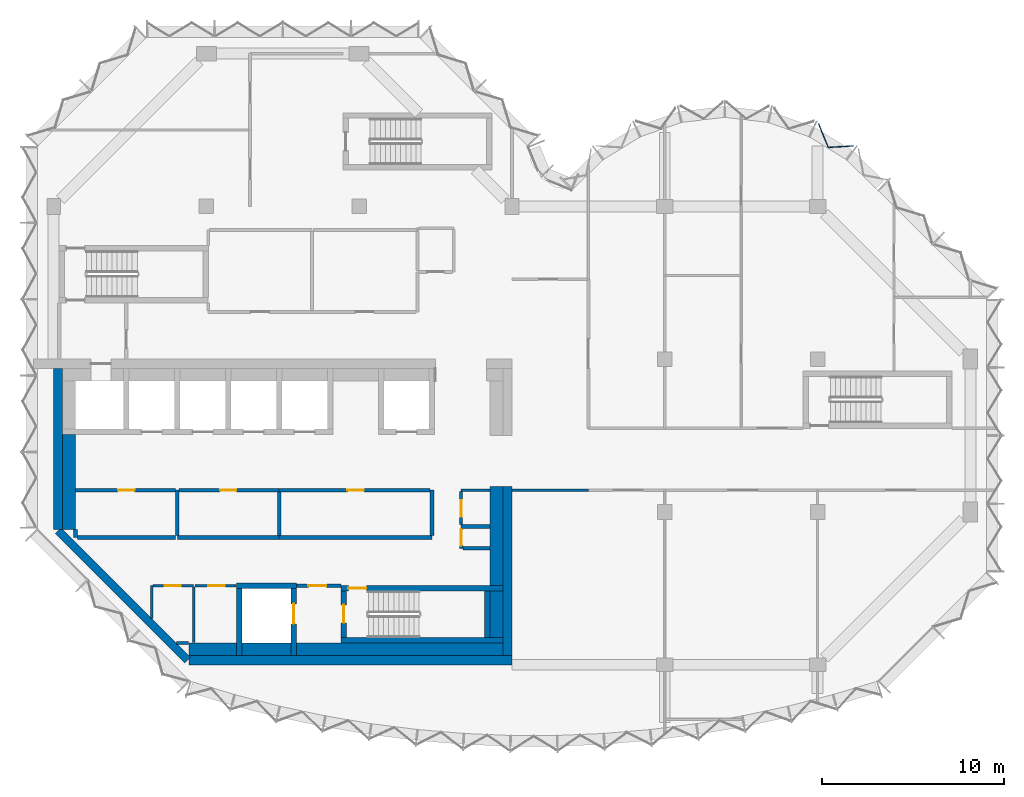
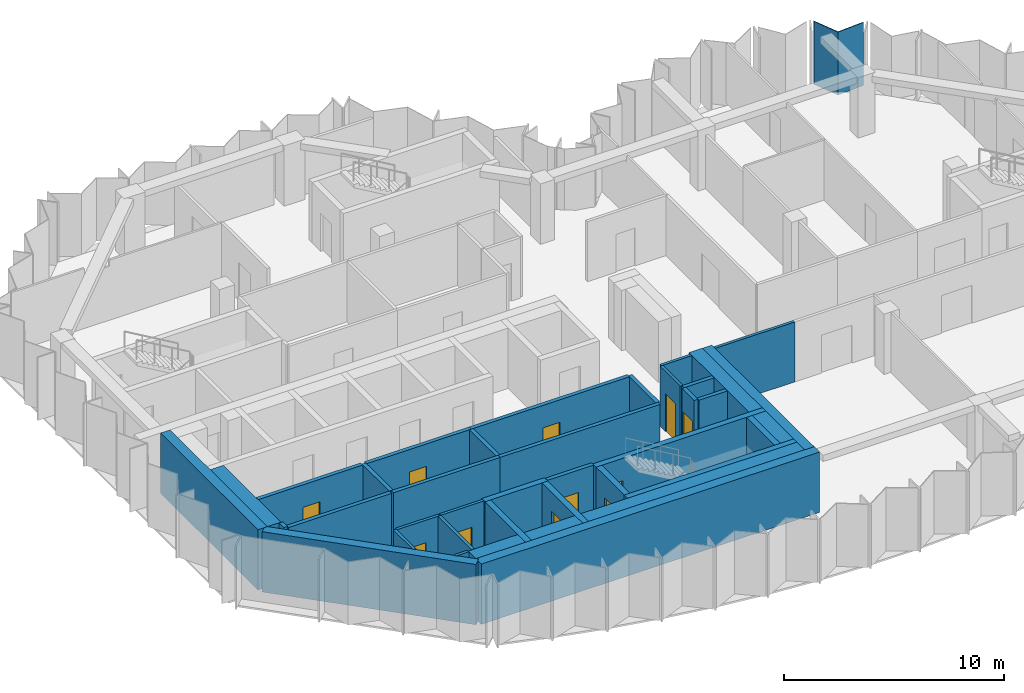
# One storey, part 4 of 10: 39 walls, 11 doors, 1 plate, 11 openings, 1 element without a shape of its own.
"""IFC4 building model written with IfcOpenShell, lengths in metres."""

import ifcopenshell
import ifcopenshell.guid

model = None  # the IFC model being written
_history = None  # IfcOwnerHistory: only IFC2X3 demands one
_inside = {}  # id of a spatial element -> (the spatial element, [elements in it])
_under = {}  # id of a project, library or spatial element -> (it, [spatial elements below it])
_declared = {}  # id of a project -> (the project, [libraries it declares])
_typed = {}  # id of a type object -> (the type object, [elements of that type])
_made_of = {}  # id of a material, layer set ... -> (it, [elements and type objects made of it])


def new_model(schema):
    """Start an empty IFC model of exactly this schema.

    Asked for "IFC4X3", IfcOpenShell would pick the latest addendum, in which some entities
    have other attributes; the version numbers below select the first issue.
    IFC2X3 requires an IfcOwnerHistory on every rooted entity: one is made here for all.
    """
    global model, _history
    if schema == "IFC4X3":
        model = ifcopenshell.file(schema_version=(4, 3, 0, 0))
    else:
        model = ifcopenshell.file(schema=schema)
    _inside.clear()
    _under.clear()
    _declared.clear()
    _typed.clear()
    _made_of.clear()
    _history = None
    if model.schema == "IFC2X3":
        org = make("IfcOrganization", Name="unknown")
        user = make(
            "IfcPersonAndOrganization",
            ThePerson=make("IfcPerson", FamilyName="unknown"),
            TheOrganization=org,
        )
        app = make(
            "IfcApplication",
            ApplicationDeveloper=org,
            Version="unknown",
            ApplicationFullName="unknown",
            ApplicationIdentifier="unknown",
        )
        _history = make(
            "IfcOwnerHistory",
            OwningUser=user,
            OwningApplication=app,
            ChangeAction="ADDED",
            CreationDate=0,
        )
    return model


def make(cls, **values):
    """One entity of the class cls with the attributes given. An attribute that is None is left unset."""
    return model.create_entity(
        cls, **{name: value for name, value in values.items() if value is not None}
    )


def rooted(cls, **values):
    """An entity with a GlobalId (a new one), such as an element, a storey or a relation."""
    return make(cls, GlobalId=ifcopenshell.guid.new(), OwnerHistory=_history, **values)


def si_unit(unit_type, name, prefix=None):
    """IfcSIUnit, for example si_unit("LENGTHUNIT", "METRE", prefix="MILLI")."""
    return make("IfcSIUnit", UnitType=unit_type, Prefix=prefix, Name=name)


def assignment(units):
    """IfcUnitAssignment: the units of a project."""
    return None if units is None else make("IfcUnitAssignment", Units=units)


def point(xyz):
    """IfcCartesianPoint."""
    return None if xyz is None else make("IfcCartesianPoint", Coordinates=xyz)


def direction(xyz):
    """IfcDirection."""
    return None if xyz is None else make("IfcDirection", DirectionRatios=xyz)


def frame(location, z_axis=None, x_axis=None):
    """IfcAxis2Placement3D, a coordinate frame: its origin and axes. An axis left out is left unset."""
    return make(
        "IfcAxis2Placement3D",
        Location=point(location),
        Axis=direction(z_axis),
        RefDirection=direction(x_axis),
    )


def frame_2d(location, x_axis=None):
    """IfcAxis2Placement2D, a coordinate frame in the plane: its origin and x axis."""
    return make(
        "IfcAxis2Placement2D", Location=point(location), RefDirection=direction(x_axis)
    )


def origin():
    """The frame at (0, 0, 0) with its axes left unset."""
    return frame((0.0, 0.0, 0.0))


def place(relative_to, where):
    """IfcLocalPlacement: puts the frame where relative to a parent placement (None: the world)."""
    return make(
        "IfcLocalPlacement", PlacementRelTo=relative_to, RelativePlacement=where
    )


def context(
    kind, dimensions, precision=None, world=None, true_north=None, identifier=None
):
    """IfcGeometricRepresentationContext, for example the 3D "Model" context."""
    return make(
        "IfcGeometricRepresentationContext",
        ContextIdentifier=identifier,
        ContextType=kind,
        CoordinateSpaceDimension=dimensions,
        Precision=precision,
        WorldCoordinateSystem=world,
        TrueNorth=true_north,
    )


def subcontext(parent, identifier, kind, view, scale=None):
    """IfcGeometricRepresentationSubContext, for example "Body" below "Model"."""
    return make(
        "IfcGeometricRepresentationSubContext",
        ContextIdentifier=identifier,
        ContextType=kind,
        ParentContext=parent,
        TargetScale=scale,
        TargetView=view,
    )


def project(units=None, contexts=None):
    """IfcProject with its units and contexts."""
    return rooted(
        "IfcProject",
        Name="project",
        RepresentationContexts=contexts,
        UnitsInContext=assignment(units),
    )


def spatial(cls, under=None, at=None, **own):
    """A site, building, storey or space (cls), placed at a placement, below another one or the project."""
    s = rooted(cls, ObjectPlacement=at, **own)
    if under is not None:
        _under.setdefault(under.id(), (under, []))[1].append(s)
    return s


def polyline(points):
    """IfcPolyline through the points."""
    return make("IfcPolyline", Points=[point(p) for p in points])


def profile(cls, at=None, kind="AREA", **sizes):
    """A parametric profile (cls). Its sizes go by their IFC names, for example OverallWidth=200.0."""
    return make(cls, ProfileType=kind, Position=at, **sizes)


def rectangle(**sizes):
    """IfcRectangleProfileDef."""
    return profile("IfcRectangleProfileDef", **sizes)


def outline(outer, holes=None, kind="AREA"):
    """IfcArbitraryClosedProfileDef: a profile drawn as a closed curve; with holes, ...WithVoids."""
    if holes is None:
        return make("IfcArbitraryClosedProfileDef", ProfileType=kind, OuterCurve=outer)
    return make(
        "IfcArbitraryProfileDefWithVoids",
        ProfileType=kind,
        OuterCurve=outer,
        InnerCurves=holes,
    )


def extrude(swept, where, along, depth):
    """IfcExtrudedAreaSolid: the profile swept, set in the frame where, extruded along a direction by depth."""
    return make(
        "IfcExtrudedAreaSolid",
        SweptArea=swept,
        Position=where,
        ExtrudedDirection=direction(along),
        Depth=depth,
    )


def shape(context_of_items, identifier, shape_type, items):
    """IfcShapeRepresentation: the items that make up one representation, for example the "Body"."""
    return make(
        "IfcShapeRepresentation",
        ContextOfItems=context_of_items,
        RepresentationIdentifier=identifier,
        RepresentationType=shape_type,
        Items=items,
    )


def material(Name=None, Category=None):
    """IfcMaterial."""
    return make("IfcMaterial", Name=Name, Category=Category)


def layer(
    of_material, thickness, ventilated=None, Name=None, Category=None, Priority=None
):
    """IfcMaterialLayer: one layer of a wall or slab, of a material (None: an air gap)."""
    return make(
        "IfcMaterialLayer",
        Material=of_material,
        LayerThickness=thickness,
        IsVentilated=ventilated,
        Name=Name,
        Category=Category,
        Priority=Priority,
    )


def layer_set(layers, Name=None):
    """IfcMaterialLayerSet."""
    return make("IfcMaterialLayerSet", MaterialLayers=layers, LayerSetName=Name)


def made_of(thing, what):
    """Note that an element or type object is made of a material, layer set ...; save() writes the relation."""
    if what is not None:
        _made_of.setdefault(what.id(), (what, []))[1].append(thing)
    return thing


def type_object(cls, material=None, **own):
    """A type object (cls), such as IfcWallType, which elements share."""
    return made_of(rooted(cls, **own), material)


def element(
    cls,
    number,
    at=None,
    inside=None,
    cuts=None,
    type_object=None,
    material=None,
    context=None,
    identifier="Body",
    shape_type=None,
    held_by="IfcProductDefinitionShape",
    body=None,
    shapes=None,
    **own,
):
    """One element of the class cls, such as IfcWall. Its Tag is "e" and its number.

    at: its placement. inside: the storey or other place that contains it. cuts: it is an
    opening in that element (IfcRelVoidsElement). A single representation is given by context,
    identifier, shape_type and body (its items); several are given by shapes. held_by: the class
    of the entity that holds the representations. save() writes the other relations.
    """
    e = rooted(cls, Tag="e%d" % number, ObjectPlacement=at, **own)
    if body is not None:
        shapes = [shape(context, identifier, shape_type, body)]
    if shapes is not None:
        e.Representation = make(held_by, Representations=shapes)
    if inside is not None:
        _inside.setdefault(inside.id(), (inside, []))[1].append(e)
    if cuts is not None:
        rooted(
            "IfcRelVoidsElement", RelatingBuildingElement=cuts, RelatedOpeningElement=e
        )
    if type_object is not None:
        _typed.setdefault(type_object.id(), (type_object, []))[1].append(e)
    return made_of(e, material)


def fill(opening, filler):
    """IfcRelFillsElement: the door or window that sits in an opening."""
    return rooted(
        "IfcRelFillsElement",
        RelatingOpeningElement=opening,
        RelatedBuildingElement=filler,
    )


def aggregate(whole, parts):
    """IfcRelAggregates: a whole, such as a stair, and the parts it consists of."""
    return rooted("IfcRelAggregates", RelatingObject=whole, RelatedObjects=parts)


def save(model, path):
    """Write the relations noted so far, then the file.

    IfcRelAggregates (storeys below a building ...), IfcRelContainedInSpatialStructure (elements
    in a storey), IfcRelDefinesByType, IfcRelAssociatesMaterial and IfcRelDeclares: one each for
    every whole, place, type object, material and project.
    """
    for whole, parts in _under.values():
        aggregate(whole, parts)
    for where, things in _inside.values():
        rooted(
            "IfcRelContainedInSpatialStructure",
            RelatedElements=things,
            RelatingStructure=where,
        )
    for kind, things in _typed.values():
        rooted("IfcRelDefinesByType", RelatedObjects=things, RelatingType=kind)
    for what, things in _made_of.values():
        rooted("IfcRelAssociatesMaterial", RelatedObjects=things, RelatingMaterial=what)
    for by, libraries in _declared.values():
        rooted("IfcRelDeclares", RelatingContext=by, RelatedDefinitions=libraries)
    model.write(path)


model = new_model("IFC4")

# Units and contexts
model_context = context("Model", 3, precision=1e-05, world=origin(), true_north=direction((0.0, 1.0)))
body_context = subcontext(model_context, "Body", "Model", "MODEL_VIEW")
ifc_project = project(units=[si_unit("LENGTHUNIT", "METRE"), si_unit("AREAUNIT", "SQUARE_METRE"), si_unit("VOLUMEUNIT", "CUBIC_METRE"), si_unit("PLANEANGLEUNIT", "RADIAN"), si_unit("MASSUNIT", "GRAM", prefix="KILO")], contexts=[model_context])

# Site, building, storey
site_placement = place(None, origin())
site = spatial("IfcSite", under=ifc_project, at=site_placement, CompositionType="ELEMENT")
building_placement = place(site_placement, origin())
building = spatial("IfcBuilding", under=site, at=building_placement, Name="Brevane Broadcast Tower", CompositionType="ELEMENT")
storey_placement = place(building_placement, frame((0.0, 0.0, 230.10009765625)))
storey = spatial("IfcBuildingStorey", under=building, at=storey_placement, Name="L58", CompositionType="ELEMENT", Elevation=230.10009765625)

# Curtain wall, plate
ifc_material_1 = material(Name="Aluminium 6063-T6 bronze anodised", Category="aluminium")
curtain_wall_type = type_object("IfcCurtainWallType", Name="CW-1 curtain wall", PredefinedType="NOTDEFINED", material=ifc_material_1)
curtain_wall_placement = place(storey_placement, origin())
curtain_wall = element("IfcCurtainWall", 1, at=curtain_wall_placement, inside=storey, type_object=curtain_wall_type, Name="CW-1 typical tilted unit L58 east bow", PredefinedType="NOTDEFINED")
ifc_material_2 = material(Name="Laminated glass bronze-tinted", Category="glass")
ifc_layer_1 = layer(ifc_material_2, 0.0400390625)
ifc_layer_set_1 = layer_set([ifc_layer_1], Name="CW tall glass panel 40")
plate_type = type_object("IfcPlateType", Name="CW tall glass panel 40", PredefinedType="CURTAIN_PANEL", material=ifc_layer_set_1)
plate_placement = place(storey_placement, frame((0.0, 0.0, -0.150146484375)))
plate = element("IfcPlate", 2, at=plate_placement, type_object=plate_type, Name="CW-1 glass panel", PredefinedType="CURTAIN_PANEL", context=body_context, shape_type="SweptSolid", body=[
    extrude(outline(polyline([(43.950439453125, 28.5087890625), (43.9833984375, 28.551025390625), (42.601318359375, 28.462890625), (42.0703125, 29.76171875), (42.046875, 29.712890625), (42.5751953125, 28.42138671875), (43.950439453125, 28.5087890625)])), origin(), (0.0, 0.0, 1.0), 3.5),
])
aggregate(curtain_wall, [plate])

# Walls
ifc_material_3 = material(Name="Concrete C32/40", Category="concrete")
ifc_layer_2 = layer(ifc_material_3, 0.699951171875)
ifc_layer_set_2 = layer_set([ifc_layer_2], Name="Core chase wall 700 mm")
wall_type_1 = type_object("IfcWallType", Name="Core chase wall 700 mm", PredefinedType="PARTITIONING", material=ifc_layer_set_2)
wall_1_placement = place(storey_placement, frame((0.85009765625, 7.436279296875, 0.0), z_axis=(0.0, 0.0, 1.0), x_axis=(0.0, 1.0, 0.0)))
element("IfcWall", 3, at=wall_1_placement, inside=storey, type_object=wall_type_1, Name="L58 chase wall LW-1", PredefinedType="PARTITIONING", context=body_context, shape_type="SweptSolid", body=[
    extrude(rectangle(XDim=5.213623046875, YDim=0.699951171875, at=frame_2d((2.60693359375, 0.0))), origin(), (0.0, 0.0, 1.0), 3.349853515625),
])
wall_2_placement = place(storey_placement, frame((7.436279296875, 0.85009765625, 0.0), z_axis=(0.0, 0.0, 1.0), x_axis=(1.0, 0.0, 0.0)))
element("IfcWall", 4, at=wall_2_placement, inside=storey, type_object=wall_type_1, Name="L58 chase wall LS-1", PredefinedType="PARTITIONING", context=body_context, shape_type="SweptSolid", body=[
    extrude(rectangle(XDim=2.61376953125, YDim=0.699951171875, at=frame_2d((1.306884765625, 0.0))), origin(), (0.0, 0.0, 1.0), 3.349853515625),
])
wall_3_placement = place(storey_placement, frame((10.35009765625, 0.85009765625, 0.0), z_axis=(0.0, 0.0, 1.0), x_axis=(1.0, 0.0, 0.0)))
element("IfcWall", 5, at=wall_3_placement, inside=storey, type_object=wall_type_1, Name="L58 chase wall LS-2-1", PredefinedType="PARTITIONING", context=body_context, shape_type="SweptSolid", body=[
    extrude(rectangle(XDim=2.699951171875, YDim=0.699951171875, at=frame_2d((1.35009765625, 0.0))), origin(), (0.0, 0.0, 1.0), 3.349853515625),
])
wall_4_placement = place(storey_placement, frame((13.35009765625, 0.85009765625, 0.0), z_axis=(0.0, 0.0, 1.0), x_axis=(1.0, 0.0, 0.0)))
element("IfcWall", 6, at=wall_4_placement, inside=storey, type_object=wall_type_1, Name="L58 chase wall LS-2-2", PredefinedType="PARTITIONING", context=body_context, shape_type="SweptSolid", body=[
    extrude(rectangle(XDim=11.349853515625, YDim=0.699951171875, at=frame_2d((5.6748046875, 0.0))), origin(), (0.0, 0.0, 1.0), 3.349853515625),
])
wall_5_placement = place(storey_placement, frame((24.35009765625, 1.5, 0.0), z_axis=(0.0, 0.0, 1.0), x_axis=(0.0, 1.0, 0.0)))
element("IfcWall", 7, at=wall_5_placement, inside=storey, type_object=wall_type_1, Name="L58 chase wall LE1-2-1", PredefinedType="PARTITIONING", context=body_context, shape_type="SweptSolid", body=[
    extrude(rectangle(XDim=2.550048828125, YDim=0.699951171875, at=frame_2d((1.27490234375, 0.0))), origin(), (0.0, 0.0, 1.0), 3.349853515625),
])
wall_6_placement = place(storey_placement, frame((24.35009765625, 4.35009765625, 0.0), z_axis=(0.0, 0.0, 1.0), x_axis=(0.0, 1.0, 0.0)))
element("IfcWall", 8, at=wall_6_placement, inside=storey, type_object=wall_type_1, Name="L58 chase wall LE1-2-2", PredefinedType="PARTITIONING", context=body_context, shape_type="SweptSolid", body=[
    extrude(rectangle(XDim=5.449951171875, YDim=0.699951171875, at=frame_2d((2.72509765625, 0.0))), origin(), (0.0, 0.0, 1.0), 3.349853515625),
])
ifc_material_4 = material(Name="Gypsum board on steel studs", Category="steel")
ifc_layer_3 = layer(ifc_material_4, 0.14990234375)
ifc_layer_set_3 = layer_set([ifc_layer_3], Name="Core fire partition 150 mm")
wall_type_2 = type_object("IfcWallType", Name="Core fire partition 150 mm", PredefinedType="PARTITIONING", material=ifc_layer_set_3)
wall_7_placement = place(storey_placement, frame((5.39990234375, 2.553466796875, 0.0), z_axis=(0.0, 0.0, 1.0), x_axis=(0.0, 1.0, 0.0)))
element("IfcWall", 9, at=wall_7_placement, inside=storey, type_object=wall_type_2, Name="L58 partition wall P17", PredefinedType="PARTITIONING", context=body_context, shape_type="SweptSolid", body=[
    extrude(rectangle(XDim=1.796630859375, YDim=0.14990234375, at=frame_2d((0.8984375, 0.0))), origin(), (0.0, 0.0, 1.0), 3.349853515625),
])

# Wall, opening, door
wall_8_placement = place(storey_placement, frame((5.47509765625, 4.35009765625, 0.0), z_axis=(0.0, 0.0, 1.0), x_axis=(1.0, 0.0, 0.0)))
wall_8 = element("IfcWall", 10, at=wall_8_placement, inside=storey, type_object=wall_type_2, Name="L58 partition wall P18", PredefinedType="PARTITIONING", context=body_context, shape_type="SweptSolid", body=[
    extrude(rectangle(XDim=2.224853515625, YDim=0.14990234375, at=frame_2d((1.1123046875, 0.0))), origin(), (0.0, 0.0, 1.0), 3.349853515625),
])
opening_1_placement = place(wall_8_placement, frame((0.625, 0.0, 0.0)))
opening_1 = element("IfcOpeningElement", 11, at=opening_1_placement, cuts=wall_8, Name="Opening L58-K14", PredefinedType="OPENING", context=body_context, shape_type="SweptSolid", body=[
    extrude(rectangle(XDim=0.89990234375, YDim=2.10009765625, at=frame_2d((0.449951171875, 1.050048828125))), frame((0.0, 0.0849609375, 0.0), z_axis=(0.0, -1.0, 0.0), x_axis=(1.0, 0.0, 0.0)), (0.0, 0.0, 1.0), 0.169921875),
])
ifc_material_5 = material(Name="Timber", Category="wood")
door_type_1 = type_object("IfcDoorType", Name="Toilet door 900 x 2100", OperationType="SINGLE_SWING_LEFT", PredefinedType="DOOR", material=ifc_material_5)
door_1_placement = place(opening_1_placement, origin())
door_1 = element("IfcDoor", 12, at=door_1_placement, inside=storey, type_object=door_type_1, Name="Door L58-K14", OperationType="SINGLE_SWING_LEFT", OverallHeight=2.10009765625, OverallWidth=0.89990234375, PredefinedType="DOOR", context=body_context, shape_type="SweptSolid", body=[
    extrude(rectangle(XDim=0.89990234375, YDim=2.10009765625, at=frame_2d((0.449951171875, 1.050048828125))), frame((0.0, 0.02490234375, 0.0), z_axis=(0.0, -1.0, 0.0), x_axis=(1.0, 0.0, 0.0)), (0.0, 0.0, 1.0), 0.050048828125),
])
fill(opening_1, door_1)

# Walls
wall_9_placement = place(storey_placement, frame((7.699951171875, 4.27490234375, 0.0), z_axis=(0.0, 0.0, 1.0), x_axis=(0.0, -1.0, 0.0)))
element("IfcWall", 13, at=wall_9_placement, inside=storey, type_object=wall_type_2, Name="L58 partition wall P19", PredefinedType="PARTITIONING", context=body_context, shape_type="SweptSolid", body=[
    extrude(rectangle(XDim=3.06298828125, YDim=0.14990234375, at=frame_2d((1.531494140625, 0.0))), origin(), (0.0, 0.0, 1.0), 3.349853515625),
])
wall_10_placement = place(storey_placement, frame((7.42431640625, 1.199951171875, 0.0), z_axis=(0.0, 0.0, 1.0), x_axis=(-1.0, 0.0, 0.0)))
element("IfcWall", 14, at=wall_10_placement, inside=storey, type_object=wall_type_2, Name="L58 partition wall P20", PredefinedType="PARTITIONING", context=body_context, shape_type="SweptSolid", body=[
    extrude(rectangle(XDim=0.6708984375, YDim=0.14990234375, at=frame_2d((0.33544921875, 0.0))), origin(), (0.0, 0.0, 1.0), 3.349853515625),
])

# Wall, opening, door
wall_11_placement = place(storey_placement, frame((10.0380859375, 4.35009765625, 0.0), z_axis=(0.0, 0.0, 1.0), x_axis=(-1.0, 0.0, 0.0)))
wall_11 = element("IfcWall", 15, at=wall_11_placement, inside=storey, type_object=wall_type_2, Name="L58 partition wall P21", PredefinedType="PARTITIONING", context=body_context, shape_type="SweptSolid", body=[
    extrude(rectangle(XDim=2.26318359375, YDim=0.14990234375, at=frame_2d((1.131591796875, 0.0))), origin(), (0.0, 0.0, 1.0), 3.349853515625),
])
opening_2_placement = place(wall_11_placement, frame((0.637939453125, 0.0, 0.0)))
opening_2 = element("IfcOpeningElement", 16, at=opening_2_placement, cuts=wall_11, Name="Opening L58-K15", PredefinedType="OPENING", context=body_context, shape_type="SweptSolid", body=[
    extrude(rectangle(XDim=0.89990234375, YDim=2.10009765625, at=frame_2d((0.449951171875, 1.050048828125))), frame((0.0, 0.0849609375, 0.0), z_axis=(0.0, -1.0, 0.0), x_axis=(1.0, 0.0, 0.0)), (0.0, 0.0, 1.0), 0.169921875),
])
door_2_placement = place(opening_2_placement, origin())
door_2 = element("IfcDoor", 17, at=door_2_placement, inside=storey, type_object=door_type_1, Name="Door L58-K15", OperationType="SINGLE_SWING_RIGHT", OverallHeight=2.10009765625, OverallWidth=0.89990234375, PredefinedType="DOOR", context=body_context, shape_type="SweptSolid", body=[
    extrude(rectangle(XDim=0.89990234375, YDim=2.10009765625, at=frame_2d((0.449951171875, 1.050048828125))), frame((0.0, 0.02490234375, 0.0), z_axis=(0.0, -1.0, 0.0), x_axis=(1.0, 0.0, 0.0)), (0.0, 0.0, 1.0), 0.050048828125),
])
fill(opening_2, door_2)

# Wall
wall_12_placement = place(storey_placement, frame((23.988037109375, 9.60009765625, 0.0), z_axis=(0.0, 0.0, 1.0), x_axis=(-1.0, 0.0, 0.0)))
element("IfcWall", 18, at=wall_12_placement, inside=storey, type_object=wall_type_2, Name="L58 partition wall P35", PredefinedType="PARTITIONING", context=body_context, shape_type="SweptSolid", body=[
    extrude(rectangle(XDim=1.588134765625, YDim=0.14990234375, at=frame_2d((0.7939453125, 0.0))), origin(), (0.0, 0.0, 1.0), 3.349853515625),
])

# Wall, opening, door
wall_13_placement = place(storey_placement, frame((22.39990234375, 9.52490234375, 0.0), z_axis=(0.0, 0.0, 1.0), x_axis=(0.0, -1.0, 0.0)))
wall_13 = element("IfcWall", 19, at=wall_13_placement, inside=storey, type_object=wall_type_2, Name="L58 partition wall P36", PredefinedType="PARTITIONING", context=body_context, shape_type="SweptSolid", body=[
    extrude(rectangle(XDim=1.824951171875, YDim=0.14990234375, at=frame_2d((0.91259765625, 0.0))), origin(), (0.0, 0.0, 1.0), 3.349853515625),
])
opening_3_placement = place(wall_13_placement, frame((0.47509765625, 0.0, 0.0)))
opening_3 = element("IfcOpeningElement", 20, at=opening_3_placement, cuts=wall_13, Name="Opening L58-K18", PredefinedType="OPENING", context=body_context, shape_type="SweptSolid", body=[
    extrude(rectangle(XDim=0.89990234375, YDim=2.10009765625, at=frame_2d((0.449951171875, 1.050048828125))), frame((0.0, 0.0849609375, 0.0), z_axis=(0.0, -1.0, 0.0), x_axis=(1.0, 0.0, 0.0)), (0.0, 0.0, 1.0), 0.169921875),
])
ifc_material_6 = material(Name="Steel", Category="steel")
door_type_2 = type_object("IfcDoorType", Name="Service room door 900 x 2100", OperationType="SINGLE_SWING_LEFT", PredefinedType="DOOR", material=ifc_material_6)
door_3_placement = place(opening_3_placement, origin())
door_3 = element("IfcDoor", 21, at=door_3_placement, inside=storey, type_object=door_type_2, Name="Door L58-K18", OperationType="SINGLE_SWING_LEFT", OverallHeight=2.10009765625, OverallWidth=0.89990234375, PredefinedType="DOOR", context=body_context, shape_type="SweptSolid", body=[
    extrude(rectangle(XDim=0.89990234375, YDim=2.10009765625, at=frame_2d((0.449951171875, 1.050048828125))), frame((0.0, 0.02490234375, 0.0), z_axis=(0.0, -1.0, 0.0), x_axis=(1.0, 0.0, 0.0)), (0.0, 0.0, 1.0), 0.050048828125),
])
fill(opening_3, door_3)

ifc_layer_4 = layer(ifc_material_4, 0.199951171875)
ifc_layer_set_4 = layer_set([ifc_layer_4], Name="Core fire partition 200 mm")
wall_type_3 = type_object("IfcWallType", Name="Core fire partition 200 mm", PredefinedType="PARTITIONING", material=ifc_layer_set_4)
wall_14_placement = place(storey_placement, frame((13.362060546875, 4.35009765625, 0.0), z_axis=(0.0, 0.0, 1.0), x_axis=(1.0, 0.0, 0.0)))
wall_14 = element("IfcWall", 22, at=wall_14_placement, inside=storey, type_object=wall_type_3, Name="L58 partition wall P03", PredefinedType="PARTITIONING", context=body_context, shape_type="SweptSolid", body=[
    extrude(rectangle(XDim=2.426025390625, YDim=0.199951171875, at=frame_2d((1.212890625, 0.0))), origin(), (0.0, 0.0, 1.0), 3.349853515625),
])
opening_4_placement = place(wall_14_placement, frame((0.637939453125, 0.0, 0.0)))
opening_4 = element("IfcOpeningElement", 23, at=opening_4_placement, cuts=wall_14, Name="Opening L58-K16", PredefinedType="OPENING", context=body_context, shape_type="SweptSolid", body=[
    extrude(rectangle(XDim=1.0, YDim=2.10009765625, at=frame_2d((0.5, 1.050048828125))), frame((0.0, 0.10986328125, 0.0), z_axis=(0.0, -1.0, 0.0), x_axis=(1.0, 0.0, 0.0)), (0.0, 0.0, 1.0), 0.219970703125),
])
door_type_3 = type_object("IfcDoorType", Name="Stair door 1000 x 2100", OperationType="SINGLE_SWING_LEFT", PredefinedType="DOOR", material=ifc_material_6)
door_4_placement = place(opening_4_placement, origin())
door_4 = element("IfcDoor", 24, at=door_4_placement, inside=storey, type_object=door_type_3, Name="Door L58-K16", OperationType="SINGLE_SWING_LEFT", OverallHeight=2.10009765625, OverallWidth=1.0, PredefinedType="DOOR", context=body_context, shape_type="SweptSolid", body=[
    extrude(rectangle(XDim=1.0, YDim=2.10009765625, at=frame_2d((0.5, 1.050048828125))), frame((0.0, 0.02490234375, 0.0), z_axis=(0.0, -1.0, 0.0), x_axis=(1.0, 0.0, 0.0)), (0.0, 0.0, 1.0), 0.050048828125),
])
fill(opening_4, door_4)

# Walls
wall_15_placement = place(storey_placement, frame((6.800048828125, 7.0, 0.0), z_axis=(0.0, 0.0, 1.0), x_axis=(1.0, 0.0, 0.0)))
element("IfcWall", 25, at=wall_15_placement, inside=storey, type_object=wall_type_3, Name="L58 partition wall P04", PredefinedType="PARTITIONING", context=body_context, shape_type="SweptSolid", body=[
    extrude(rectangle(XDim=5.599853515625, YDim=0.199951171875, at=frame_2d((2.7998046875, 0.0))), origin(), (0.0, 0.0, 1.0), 3.349853515625),
])
wall_16_placement = place(storey_placement, frame((6.800048828125, 9.60009765625, 0.0), z_axis=(0.0, 0.0, 1.0), x_axis=(0.0, -1.0, 0.0)))
element("IfcWall", 26, at=wall_16_placement, inside=storey, type_object=wall_type_3, Name="L58 partition wall P05", PredefinedType="PARTITIONING", context=body_context, shape_type="SweptSolid", body=[
    extrude(rectangle(XDim=2.5, YDim=0.199951171875, at=frame_2d((1.25, 0.0))), origin(), (0.0, 0.0, 1.0), 3.349853515625),
])

# Wall, opening, door
wall_17_placement = place(storey_placement, frame((6.699951171875, 9.60009765625, 0.0), z_axis=(0.0, 0.0, 1.0), x_axis=(-1.0, 0.0, 0.0)))
wall_17 = element("IfcWall", 27, at=wall_17_placement, inside=storey, type_object=wall_type_3, Name="L58 partition wall P06", PredefinedType="PARTITIONING", context=body_context, shape_type="SweptSolid", body=[
    extrude(rectangle(XDim=5.488037109375, YDim=0.199951171875, at=frame_2d((2.744140625, 0.0))), origin(), (0.0, 0.0, 1.0), 3.349853515625),
])
opening_5_placement = place(wall_17_placement, frame((2.25, 0.0, 0.0)))
opening_5 = element("IfcOpeningElement", 28, at=opening_5_placement, cuts=wall_17, Name="Opening L58-K19", PredefinedType="OPENING", context=body_context, shape_type="SweptSolid", body=[
    extrude(rectangle(XDim=0.89990234375, YDim=2.10009765625, at=frame_2d((0.449951171875, 1.050048828125))), frame((0.0, 0.10986328125, 0.0), z_axis=(0.0, -1.0, 0.0), x_axis=(1.0, 0.0, 0.0)), (0.0, 0.0, 1.0), 0.219970703125),
])
door_5_placement = place(opening_5_placement, origin())
door_5 = element("IfcDoor", 29, at=door_5_placement, inside=storey, type_object=door_type_2, Name="Door L58-K19", OperationType="SINGLE_SWING_RIGHT", OverallHeight=2.10009765625, OverallWidth=0.89990234375, PredefinedType="DOOR", context=body_context, shape_type="SweptSolid", body=[
    extrude(rectangle(XDim=0.89990234375, YDim=2.10009765625, at=frame_2d((0.449951171875, 1.050048828125))), frame((0.0, 0.02490234375, 0.0), z_axis=(0.0, -1.0, 0.0), x_axis=(1.0, 0.0, 0.0)), (0.0, 0.0, 1.0), 0.050048828125),
])
fill(opening_5, door_5)

# Walls
wall_18_placement = place(storey_placement, frame((1.199951171875, 7.42431640625, 0.0), z_axis=(0.0, 0.0, 1.0), x_axis=(0.0, -1.0, 0.0)))
element("IfcWall", 30, at=wall_18_placement, inside=storey, type_object=wall_type_3, Name="L58 partition wall P07", PredefinedType="PARTITIONING", context=body_context, shape_type="SweptSolid", body=[
    extrude(rectangle(XDim=0.42431640625, YDim=0.199951171875, at=frame_2d((0.212158203125, 0.0))), origin(), (0.0, 0.0, 1.0), 3.349853515625),
])
wall_19_placement = place(storey_placement, frame((1.300048828125, 7.0, 0.0), z_axis=(0.0, 0.0, 1.0), x_axis=(1.0, 0.0, 0.0)))
element("IfcWall", 31, at=wall_19_placement, inside=storey, type_object=wall_type_3, Name="L58 partition wall P08", PredefinedType="PARTITIONING", context=body_context, shape_type="SweptSolid", body=[
    extrude(rectangle(XDim=5.39990234375, YDim=0.199951171875, at=frame_2d((2.699951171875, 0.0))), origin(), (0.0, 0.0, 1.0), 3.349853515625),
])

# Wall, opening, door
wall_20_placement = place(storey_placement, frame((12.39990234375, 9.60009765625, 0.0), z_axis=(0.0, 0.0, 1.0), x_axis=(-1.0, 0.0, 0.0)))
wall_20 = element("IfcWall", 32, at=wall_20_placement, inside=storey, type_object=wall_type_3, Name="L58 partition wall P09", PredefinedType="PARTITIONING", context=body_context, shape_type="SweptSolid", body=[
    extrude(rectangle(XDim=5.5, YDim=0.199951171875, at=frame_2d((2.75, 0.0))), origin(), (0.0, 0.0, 1.0), 3.349853515625),
])
opening_6_placement = place(wall_20_placement, frame((2.35009765625, 0.0, 0.0)))
opening_6 = element("IfcOpeningElement", 33, at=opening_6_placement, cuts=wall_20, Name="Opening L58-K20", PredefinedType="OPENING", context=body_context, shape_type="SweptSolid", body=[
    extrude(rectangle(XDim=0.89990234375, YDim=2.10009765625, at=frame_2d((0.449951171875, 1.050048828125))), frame((0.0, 0.10986328125, 0.0), z_axis=(0.0, -1.0, 0.0), x_axis=(1.0, 0.0, 0.0)), (0.0, 0.0, 1.0), 0.219970703125),
])
door_6_placement = place(opening_6_placement, origin())
door_6 = element("IfcDoor", 34, at=door_6_placement, inside=storey, type_object=door_type_2, Name="Door L58-K20", OperationType="SINGLE_SWING_LEFT", OverallHeight=2.10009765625, OverallWidth=0.89990234375, PredefinedType="DOOR", context=body_context, shape_type="SweptSolid", body=[
    extrude(rectangle(XDim=0.89990234375, YDim=2.10009765625, at=frame_2d((0.449951171875, 1.050048828125))), frame((0.0, 0.02490234375, 0.0), z_axis=(0.0, -1.0, 0.0), x_axis=(1.0, 0.0, 0.0)), (0.0, 0.0, 1.0), 0.050048828125),
])
fill(opening_6, door_6)

# Walls
wall_21_placement = place(storey_placement, frame((12.39990234375, 7.0, 0.0), z_axis=(0.0, 0.0, 1.0), x_axis=(1.0, 0.0, 0.0)))
element("IfcWall", 35, at=wall_21_placement, inside=storey, type_object=wall_type_3, Name="L58 partition wall P10", PredefinedType="PARTITIONING", context=body_context, shape_type="SweptSolid", body=[
    extrude(rectangle(XDim=8.400146484375, YDim=0.199951171875, at=frame_2d((4.2001953125, 0.0))), origin(), (0.0, 0.0, 1.0), 3.349853515625),
])
wall_22_placement = place(storey_placement, frame((20.800048828125, 7.10009765625, 0.0), z_axis=(0.0, 0.0, 1.0), x_axis=(0.0, 1.0, 0.0)))
element("IfcWall", 36, at=wall_22_placement, inside=storey, type_object=wall_type_3, Name="L58 partition wall P11", PredefinedType="PARTITIONING", context=body_context, shape_type="SweptSolid", body=[
    extrude(rectangle(XDim=2.5, YDim=0.199951171875, at=frame_2d((1.25, 0.0))), origin(), (0.0, 0.0, 1.0), 3.349853515625),
])

# Wall, opening, door
wall_23_placement = place(storey_placement, frame((20.699951171875, 9.60009765625, 0.0), z_axis=(0.0, 0.0, 1.0), x_axis=(-1.0, 0.0, 0.0)))
wall_23 = element("IfcWall", 37, at=wall_23_placement, inside=storey, type_object=wall_type_3, Name="L58 partition wall P12", PredefinedType="PARTITIONING", context=body_context, shape_type="SweptSolid", body=[
    extrude(rectangle(XDim=8.300048828125, YDim=0.199951171875, at=frame_2d((4.14990234375, 0.0))), origin(), (0.0, 0.0, 1.0), 3.349853515625),
])
opening_7_placement = place(wall_23_placement, frame((3.64990234375, 0.0, 0.0)))
opening_7 = element("IfcOpeningElement", 38, at=opening_7_placement, cuts=wall_23, Name="Opening L58-K21", PredefinedType="OPENING", context=body_context, shape_type="SweptSolid", body=[
    extrude(rectangle(XDim=0.89990234375, YDim=2.10009765625, at=frame_2d((0.449951171875, 1.050048828125))), frame((0.0, 0.10986328125, 0.0), z_axis=(0.0, -1.0, 0.0), x_axis=(1.0, 0.0, 0.0)), (0.0, 0.0, 1.0), 0.219970703125),
])
door_7_placement = place(opening_7_placement, origin())
door_7 = element("IfcDoor", 39, at=door_7_placement, inside=storey, type_object=door_type_2, Name="Door L58-K21", OperationType="SINGLE_SWING_RIGHT", OverallHeight=2.10009765625, OverallWidth=0.89990234375, PredefinedType="DOOR", context=body_context, shape_type="SweptSolid", body=[
    extrude(rectangle(XDim=0.89990234375, YDim=2.10009765625, at=frame_2d((0.449951171875, 1.050048828125))), frame((0.0, 0.02490234375, 0.0), z_axis=(0.0, -1.0, 0.0), x_axis=(1.0, 0.0, 0.0)), (0.0, 0.0, 1.0), 0.050048828125),
])
fill(opening_7, door_7)

# Walls
wall_24_placement = place(storey_placement, frame((12.39990234375, 9.5, 0.0), z_axis=(0.0, 0.0, 1.0), x_axis=(0.0, -1.0, 0.0)))
element("IfcWall", 40, at=wall_24_placement, inside=storey, type_object=wall_type_3, Name="L58 partition wall P13", PredefinedType="PARTITIONING", context=body_context, shape_type="SweptSolid", body=[
    extrude(rectangle(XDim=2.39990234375, YDim=0.199951171875, at=frame_2d((1.199951171875, 0.0))), origin(), (0.0, 0.0, 1.0), 3.349853515625),
])
wall_25_placement = place(storey_placement, frame((23.988037109375, 7.60009765625, 0.0), z_axis=(0.0, 0.0, 1.0), x_axis=(-1.0, 0.0, 0.0)))
element("IfcWall", 41, at=wall_25_placement, inside=storey, type_object=wall_type_3, Name="L58 partition wall P14", PredefinedType="PARTITIONING", context=body_context, shape_type="SweptSolid", body=[
    extrude(rectangle(XDim=1.588134765625, YDim=0.199951171875, at=frame_2d((0.7939453125, 0.0))), origin(), (0.0, 0.0, 1.0), 3.349853515625),
])

# Wall, opening, door
wall_26_placement = place(storey_placement, frame((22.39990234375, 7.5, 0.0), z_axis=(0.0, 0.0, 1.0), x_axis=(0.0, -1.0, 0.0)))
wall_26 = element("IfcWall", 42, at=wall_26_placement, inside=storey, type_object=wall_type_3, Name="L58 partition wall P15", PredefinedType="PARTITIONING", context=body_context, shape_type="SweptSolid", body=[
    extrude(rectangle(XDim=1.10009765625, YDim=0.199951171875, at=frame_2d((0.550048828125, 0.0))), origin(), (0.0, 0.0, 1.0), 3.349853515625),
])
opening_8_placement = place(wall_26_placement, frame((0.050048828125, 0.0, 0.0)))
opening_8 = element("IfcOpeningElement", 43, at=opening_8_placement, cuts=wall_26, Name="Opening L58-K17", PredefinedType="OPENING", context=body_context, shape_type="SweptSolid", body=[
    extrude(rectangle(XDim=0.89990234375, YDim=2.10009765625, at=frame_2d((0.449951171875, 1.050048828125))), frame((0.0, 0.10986328125, 0.0), z_axis=(0.0, -1.0, 0.0), x_axis=(1.0, 0.0, 0.0)), (0.0, 0.0, 1.0), 0.219970703125),
])
door_8_placement = place(opening_8_placement, origin())
door_8 = element("IfcDoor", 44, at=door_8_placement, inside=storey, type_object=door_type_2, Name="Door L58-K17", OperationType="SINGLE_SWING_RIGHT", OverallHeight=2.10009765625, OverallWidth=0.89990234375, PredefinedType="DOOR", context=body_context, shape_type="SweptSolid", body=[
    extrude(rectangle(XDim=0.89990234375, YDim=2.10009765625, at=frame_2d((0.449951171875, 1.050048828125))), frame((0.0, 0.02490234375, 0.0), z_axis=(0.0, -1.0, 0.0), x_axis=(1.0, 0.0, 0.0)), (0.0, 0.0, 1.0), 0.050048828125),
])
fill(opening_8, door_8)

# Walls
wall_27_placement = place(storey_placement, frame((22.5, 6.39990234375, 0.0), z_axis=(0.0, 0.0, 1.0), x_axis=(1.0, 0.0, 0.0)))
element("IfcWall", 45, at=wall_27_placement, inside=storey, type_object=wall_type_3, Name="L58 partition wall P16", PredefinedType="PARTITIONING", context=body_context, shape_type="SweptSolid", body=[
    extrude(rectangle(XDim=1.488037109375, YDim=0.199951171875, at=frame_2d((0.744140625, 0.0))), origin(), (0.0, 0.0, 1.0), 3.349853515625),
])
ifc_material_7 = material(Name="Concrete C50/60", Category="concrete")
ifc_layer_5 = layer(ifc_material_7, 0.300048828125)
ifc_layer_set_5 = layer_set([ifc_layer_5], Name="Core wall 300 mm C50/60")
wall_type_4 = type_object("IfcWallType", Name="Core wall 300 mm C50/60", PredefinedType="SHEAR", material=ifc_layer_set_5)
wall_28_placement = place(storey_placement, frame((10.199951171875, 0.5, 0.0), z_axis=(0.0, 0.0, 1.0), x_axis=(0.0, 1.0, 0.0)))
element("IfcWall", 46, at=wall_28_placement, inside=storey, type_object=wall_type_4, Name="L58 shaft wall FF2-W", PredefinedType="SHEAR", context=body_context, shape_type="SweptSolid", body=[
    extrude(rectangle(XDim=3.699951171875, YDim=0.300048828125, at=frame_2d((1.85009765625, 0.0))), origin(), (0.0, 0.0, 1.0), 3.349853515625),
])

# Wall, opening, door
wall_29_placement = place(storey_placement, frame((13.199951171875, 0.5, 0.0), z_axis=(0.0, 0.0, 1.0), x_axis=(0.0, 1.0, 0.0)))
wall_29 = element("IfcWall", 47, at=wall_29_placement, inside=storey, type_object=wall_type_4, Name="L58 shaft wall FF2-E", PredefinedType="SHEAR", context=body_context, shape_type="SweptSolid", body=[
    extrude(rectangle(XDim=3.699951171875, YDim=0.300048828125, at=frame_2d((1.85009765625, 0.0))), origin(), (0.0, 0.0, 1.0), 3.349853515625),
])
opening_9_placement = place(wall_29_placement, frame((1.75, 0.0, 0.0)))
opening_9 = element("IfcOpeningElement", 48, at=opening_9_placement, cuts=wall_29, Name="Opening LD", PredefinedType="OPENING", context=body_context, shape_type="SweptSolid", body=[
    extrude(rectangle(XDim=1.10009765625, YDim=2.300048828125, at=frame_2d((0.550048828125, 1.14990234375))), frame((0.0, 0.159912109375, 0.0), z_axis=(0.0, -1.0, 0.0), x_axis=(1.0, 0.0, 0.0)), (0.0, 0.0, 1.0), 0.320068359375),
])
ifc_material_8 = material(Name="Stainless steel", Category="steel")
door_type_4 = type_object("IfcDoorType", Name="Lift landing door", OperationType="SLIDING_TO_LEFT", PredefinedType="DOOR", material=ifc_material_8)
door_9_placement = place(opening_9_placement, origin())
door_9 = element("IfcDoor", 49, at=door_9_placement, inside=storey, type_object=door_type_4, Name="Landing door FF2 L58", OperationType="SLIDING_TO_LEFT", OverallHeight=2.300048828125, OverallWidth=1.10009765625, PredefinedType="DOOR", context=body_context, shape_type="SweptSolid", body=[
    extrude(rectangle(XDim=1.10009765625, YDim=2.300048828125, at=frame_2d((0.550048828125, 1.14990234375))), frame((0.0, 0.02490234375, 0.0), z_axis=(0.0, -1.0, 0.0), x_axis=(1.0, 0.0, 0.0)), (0.0, 0.0, 1.0), 0.050048828125),
])
fill(opening_9, door_9)

# Walls
wall_30_placement = place(storey_placement, frame((10.050048828125, 4.35009765625, 0.0), z_axis=(0.0, 0.0, 1.0), x_axis=(1.0, 0.0, 0.0)))
element("IfcWall", 50, at=wall_30_placement, inside=storey, type_object=wall_type_4, Name="L58 shaft wall FF2-N", PredefinedType="SHEAR", context=body_context, shape_type="SweptSolid", body=[
    extrude(rectangle(XDim=3.300048828125, YDim=0.300048828125, at=frame_2d((1.64990234375, 0.0))), origin(), (0.0, 0.0, 1.0), 3.349853515625),
])
wall_31_placement = place(storey_placement, frame((15.800048828125, 1.35009765625, 0.0), z_axis=(0.0, 0.0, 1.0), x_axis=(1.0, 0.0, 0.0)))
element("IfcWall", 51, at=wall_31_placement, inside=storey, type_object=wall_type_4, Name="L58 stair wall ST-2-S", PredefinedType="SHEAR", context=body_context, shape_type="SweptSolid", body=[
    extrude(rectangle(XDim=8.89990234375, YDim=0.300048828125, at=frame_2d((4.449951171875, 0.0))), origin(), (0.0, 0.0, 1.0), 3.349853515625),
])

# Wall, opening, door
wall_32_placement = place(storey_placement, frame((15.800048828125, 4.199951171875, 0.0), z_axis=(0.0, 0.0, 1.0), x_axis=(1.0, 0.0, 0.0)))
wall_32 = element("IfcWall", 52, at=wall_32_placement, inside=storey, type_object=wall_type_4, Name="L58 stair wall ST-2-N", PredefinedType="SHEAR", context=body_context, shape_type="SweptSolid", body=[
    extrude(rectangle(XDim=8.89990234375, YDim=0.300048828125, at=frame_2d((4.449951171875, 0.0))), origin(), (0.0, 0.0, 1.0), 3.349853515625),
])
opening_10_placement = place(wall_32_placement, frame((0.39990234375, 0.0, 0.0)))
opening_10 = element("IfcOpeningElement", 53, at=opening_10_placement, cuts=wall_32, Name="Opening L58-K11", PredefinedType="OPENING", context=body_context, shape_type="SweptSolid", body=[
    extrude(rectangle(XDim=1.0, YDim=2.10009765625, at=frame_2d((0.5, 1.050048828125))), frame((0.0, 0.159912109375, 0.0), z_axis=(0.0, -1.0, 0.0), x_axis=(1.0, 0.0, 0.0)), (0.0, 0.0, 1.0), 0.320068359375),
])
door_10_placement = place(opening_10_placement, origin())
door_10 = element("IfcDoor", 54, at=door_10_placement, inside=storey, type_object=door_type_3, Name="Door L58-K11", OperationType="SINGLE_SWING_RIGHT", OverallHeight=2.10009765625, OverallWidth=1.0, PredefinedType="DOOR", context=body_context, shape_type="SweptSolid", body=[
    extrude(rectangle(XDim=1.0, YDim=2.10009765625, at=frame_2d((0.5, 1.050048828125))), frame((0.0, 0.02490234375, 0.0), z_axis=(0.0, -1.0, 0.0), x_axis=(1.0, 0.0, 0.0)), (0.0, 0.0, 1.0), 0.050048828125),
])
fill(opening_10, door_10)

wall_33_placement = place(storey_placement, frame((15.949951171875, 1.5, 0.0), z_axis=(0.0, 0.0, 1.0), x_axis=(0.0, 1.0, 0.0)))
wall_33 = element("IfcWall", 55, at=wall_33_placement, inside=storey, type_object=wall_type_4, Name="L58 stair wall ST-2-W", PredefinedType="SHEAR", context=body_context, shape_type="SweptSolid", body=[
    extrude(rectangle(XDim=2.550048828125, YDim=0.300048828125, at=frame_2d((1.27490234375, 0.0))), origin(), (0.0, 0.0, 1.0), 3.349853515625),
])
opening_11_placement = place(wall_33_placement, frame((0.800048828125, 0.0, 0.0)))
opening_11 = element("IfcOpeningElement", 56, at=opening_11_placement, cuts=wall_33, Name="Opening L58-K10", PredefinedType="OPENING", context=body_context, shape_type="SweptSolid", body=[
    extrude(rectangle(XDim=1.0, YDim=2.10009765625, at=frame_2d((0.5, 1.050048828125))), frame((0.0, 0.159912109375, 0.0), z_axis=(0.0, -1.0, 0.0), x_axis=(1.0, 0.0, 0.0)), (0.0, 0.0, 1.0), 0.320068359375),
])
door_11_placement = place(opening_11_placement, origin())
door_11 = element("IfcDoor", 57, at=door_11_placement, inside=storey, type_object=door_type_3, Name="Door L58-K10", OperationType="SINGLE_SWING_LEFT", OverallHeight=2.10009765625, OverallWidth=1.0, PredefinedType="DOOR", context=body_context, shape_type="SweptSolid", body=[
    extrude(rectangle(XDim=1.0, YDim=2.10009765625, at=frame_2d((0.5, 1.050048828125))), frame((0.0, 0.02490234375, 0.0), z_axis=(0.0, -1.0, 0.0), x_axis=(1.0, 0.0, 0.0)), (0.0, 0.0, 1.0), 0.050048828125),
])
fill(opening_11, door_11)

# Walls
wall_34_placement = place(storey_placement, frame((23.85009765625, 1.5, 0.0), z_axis=(0.0, 0.0, 1.0), x_axis=(0.0, 1.0, 0.0)))
element("IfcWall", 58, at=wall_34_placement, inside=storey, type_object=wall_type_4, Name="L58 stair wall ST-2-E", PredefinedType="SHEAR", context=body_context, shape_type="SweptSolid", body=[
    extrude(rectangle(XDim=2.550048828125, YDim=0.300048828125, at=frame_2d((1.27490234375, 0.0))), origin(), (0.0, 0.0, 1.0), 3.349853515625),
])
ifc_layer_6 = layer(ifc_material_7, 0.449951171875)
ifc_layer_set_6 = layer_set([ifc_layer_6], Name="Core wall 450 mm C50/60")
wall_type_5 = type_object("IfcWallType", Name="Core wall 450 mm C50/60", PredefinedType="SHEAR", material=ifc_layer_set_6)
wall_35_placement = place(storey_placement, frame((0.25, 7.3681640625, 0.0), z_axis=(0.0, 0.0, 1.0), x_axis=(0.707106781187, -0.707106781187, 0.0)))
element("IfcWall", 59, at=wall_35_placement, inside=storey, type_object=wall_type_5, Name="L58 outer wall WC", PredefinedType="SHEAR", context=body_context, shape_type="SweptSolid", body=[
    extrude(rectangle(XDim=10.066650390625, YDim=0.449951171875, at=frame_2d((5.033203125, 0.0))), origin(), (0.0, 0.0, 1.0), 3.349853515625),
])
ifc_layer_7 = layer(ifc_material_7, 0.5)
ifc_layer_set_7 = layer_set([ifc_layer_7], Name="Core wall 500 mm C50/60")
wall_type_6 = type_object("IfcWallType", Name="Core wall 500 mm C50/60", PredefinedType="SHEAR", material=ifc_layer_set_7)
wall_36_placement = place(storey_placement, frame((7.436279296875, 0.25, 0.0), z_axis=(0.0, 0.0, 1.0), x_axis=(1.0, 0.0, 0.0)))
element("IfcWall", 60, at=wall_36_placement, inside=storey, type_object=wall_type_6, Name="L58 outer wall WS", PredefinedType="SHEAR", context=body_context, shape_type="SweptSolid", body=[
    extrude(rectangle(XDim=17.763671875, YDim=0.5, at=frame_2d((8.8818359375, 0.0))), origin(), (0.0, 0.0, 1.0), 3.349853515625),
])
wall_37_placement = place(storey_placement, frame((0.25, 7.436279296875, 0.0), z_axis=(0.0, 0.0, 1.0), x_axis=(0.0, 1.0, 0.0)))
element("IfcWall", 61, at=wall_37_placement, inside=storey, type_object=wall_type_6, Name="L58 outer wall WW", PredefinedType="SHEAR", context=body_context, shape_type="SweptSolid", body=[
    extrude(rectangle(XDim=8.86376953125, YDim=0.5, at=frame_2d((4.431884765625, 0.0))), origin(), (0.0, 0.0, 1.0), 3.349853515625),
])
wall_38_placement = place(storey_placement, frame((24.949951171875, 0.5, 0.0), z_axis=(0.0, 0.0, 1.0), x_axis=(0.0, 1.0, 0.0)))
element("IfcWall", 62, at=wall_38_placement, inside=storey, type_object=wall_type_6, Name="L58 outer wall WE1", PredefinedType="SHEAR", context=body_context, shape_type="SweptSolid", body=[
    extrude(rectangle(XDim=9.300048828125, YDim=0.5, at=frame_2d((4.64990234375, 0.0))), origin(), (0.0, 0.0, 1.0), 3.349853515625),
])
ifc_material_9 = material(Name="Gypsum board partition")
ifc_layer_8 = layer(ifc_material_9, 0.14990234375)
ifc_layer_set_8 = layer_set([ifc_layer_8], Name="PARTITION 150 EI 60")
wall_type_7 = type_object("IfcWallType", Name="PARTITION 150 EI 60", PredefinedType="PARTITIONING", material=ifc_layer_set_8)
wall_39_placement = place(storey_placement, frame((29.39990234375, 9.60009765625, 0.0), z_axis=(0.0, 0.0, 1.0), x_axis=(-1.0, 0.0, 0.0)))
element("IfcWall", 63, at=wall_39_placement, inside=storey, type_object=wall_type_7, Name="Partition G18-002", PredefinedType="PARTITIONING", context=body_context, shape_type="SweptSolid", body=[
    extrude(rectangle(XDim=4.199951171875, YDim=0.14990234375, at=frame_2d((2.10009765625, 0.0))), origin(), (0.0, 0.0, 1.0), 3.329833984375),
])

save(model, "model.ifc")
